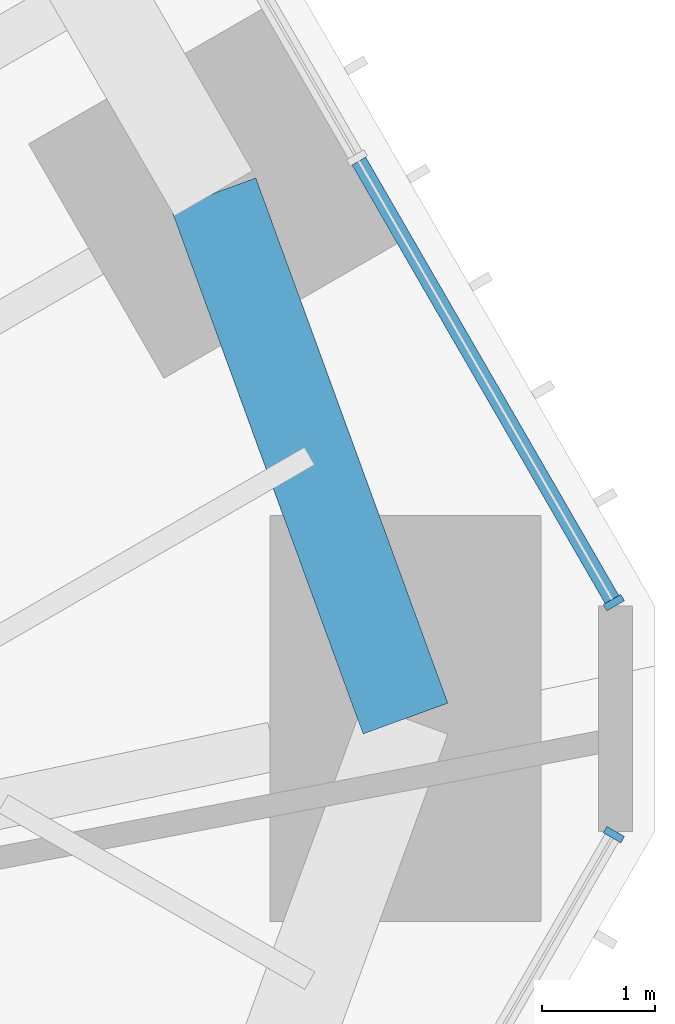
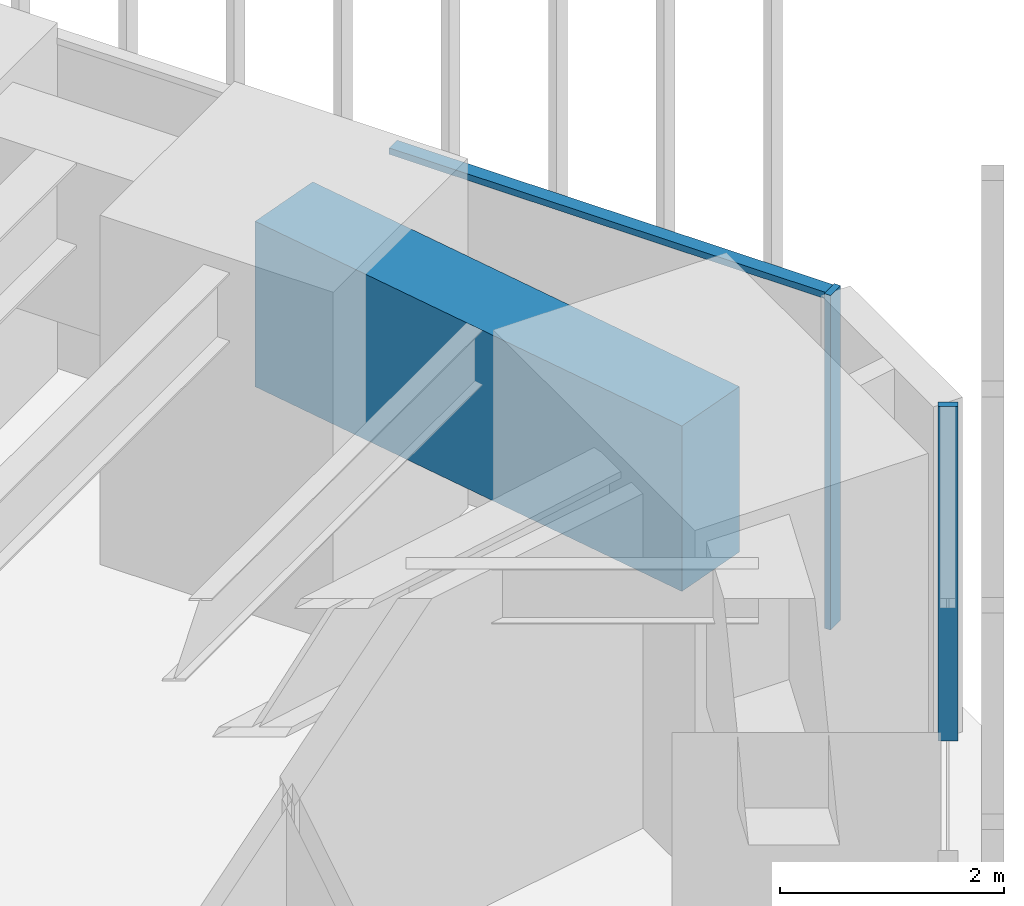
# One storey, part 197 of 256: 3 members, 1 beam, 2 elements without a shape of their own.
"""IFC4 building model written with IfcOpenShell, lengths in metres."""

from ifc_helpers import new_model, si_unit, direction, frame, origin, origin_2d, place, context, subcontext, project, spatial, rectangle, extrude, material, material_profile, profile_set, type_object, element, aggregate, save


model = new_model("IFC4")

# Units and contexts
model_context = context("Model", 3, precision=1e-05, world=origin(), true_north=direction((0.0, 1.0)))
body_context = subcontext(model_context, "Body", "Model", "MODEL_VIEW")
ifc_project = project(units=[si_unit("LENGTHUNIT", "METRE"), si_unit("AREAUNIT", "SQUARE_METRE"), si_unit("VOLUMEUNIT", "CUBIC_METRE"), si_unit("PLANEANGLEUNIT", "RADIAN"), si_unit("MASSUNIT", "GRAM", prefix="KILO")], contexts=[model_context])

# Site, building, storey
site_placement = place(None, origin())
site = spatial("IfcSite", under=ifc_project, at=site_placement, CompositionType="ELEMENT")
building_placement = place(site_placement, origin())
building = spatial("IfcBuilding", under=site, at=building_placement, Name="Sandreach Pilgrim Tower", CompositionType="ELEMENT")
storey_placement = place(building_placement, frame((0.0, 0.0, 23.0)))
storey = spatial("IfcBuildingStorey", under=building, at=storey_placement, Name="L04", CompositionType="ELEMENT", Elevation=23.0)

# Curtain wall, member
ifc_material_1 = material(Name="Aluminium framed curtain wall", Category="aluminium")
curtain_wall_type = type_object("IfcCurtainWallType", Name="Hostel tower curtain wall", PredefinedType="NOTDEFINED", material=ifc_material_1)
curtain_wall_1_placement = place(storey_placement, origin())
curtain_wall_1 = element("IfcCurtainWall", 1, at=curtain_wall_1_placement, inside=storey, type_object=curtain_wall_type, Name="CW-1 L04 NE", PredefinedType="NOTDEFINED")
ifc_material_2 = material(Name="Aluminium extrusion", Category="aluminium")
ifc_material_profile_1 = material_profile(ifc_material_2, rectangle(XDim=0.06494140625, YDim=0.179931640625, at=origin_2d()), Name="CW-1M 65X180")
ifc_profile_set_1 = profile_set([ifc_material_profile_1], Name="Aluminium extrusion")
member_type_1 = type_object("IfcMemberType", Name="CW-1 mullion", PredefinedType="MULLION", material=ifc_profile_set_1)
member_1_placement = place(storey_placement, frame((30.56005859375, 7.09033203125, 0.0), z_axis=(0.0, 0.0, 1.0), x_axis=(0.5, -0.866025403784, 0.0)))
member_1 = element("IfcMember", 2, at=member_1_placement, type_object=member_type_1, Name="CW-1 mullion 5", PredefinedType="MULLION", context=body_context, shape_type="SweptSolid", body=[
    extrude(rectangle(XDim=0.06494140625, YDim=0.179931640625, at=origin_2d()), origin(), (0.0, 0.0, 1.0), 3.639892578125),
])

curtain_wall_2_placement = place(storey_placement, origin())
curtain_wall_2 = element("IfcCurtainWall", 3, at=curtain_wall_2_placement, inside=storey, type_object=curtain_wall_type, Name="CW-1 L04 SE", PredefinedType="NOTDEFINED")
member_2_placement = place(storey_placement, frame((30.56005859375, 5.033935546875, 0.0), z_axis=(0.0, 0.0, 1.0), x_axis=(-0.5, -0.866025403784, 0.0)))
member_2 = element("IfcMember", 4, at=member_2_placement, type_object=member_type_1, Name="CW-1 mullion 1", PredefinedType="MULLION", context=body_context, shape_type="SweptSolid", body=[
    extrude(rectangle(XDim=0.06494140625, YDim=0.179931640625, at=origin_2d()), origin(), (0.0, 0.0, 1.0), 3.639892578125),
])
aggregate(curtain_wall_2, [member_2])

# Member
ifc_material_3 = material(Name="Aluminium extrusion", Category="aluminium")
ifc_material_profile_2 = material_profile(ifc_material_3, rectangle(XDim=0.139892578125, YDim=0.070068359375, at=origin_2d()), Name="CW-1T 140X70")
ifc_profile_set_2 = profile_set([ifc_material_profile_2], Name="Aluminium extrusion")
member_type_2 = type_object("IfcMemberType", Name="CW-1 transom", PredefinedType="USERDEFINED", material=ifc_profile_set_2)
member_3_placement = place(storey_placement, frame((28.299560546875, 11.005615234375, 3.60498046875), z_axis=(0.499976706761, -0.866038851724, 0.0), x_axis=(0.866038851724, 0.499976706761, 0.0)))
member_3 = element("IfcMember", 5, at=member_3_placement, type_object=member_type_2, Name="CW-1 head transom 4", ObjectType="TRANSOM", PredefinedType="USERDEFINED", context=body_context, shape_type="SweptSolid", body=[
    extrude(rectangle(XDim=0.139892578125, YDim=0.070068359375, at=origin_2d()), origin(), (0.0, 0.0, 1.0), 4.488525390625),
])

aggregate(curtain_wall_1, [member_1, member_3])

# Beam
ifc_material_4 = material(Name="Concrete 10000 psi", Category="concrete")
ifc_material_profile_3 = material_profile(ifc_material_4, rectangle(XDim=0.800048828125, YDim=1.800048828125, at=origin_2d()), Name="RC800X1800")
ifc_profile_set_3 = profile_set([ifc_material_profile_3], Name="Concrete 10000 psi")
beam_type = type_object("IfcBeamType", Name="Spandrel beam RC800X1800", PredefinedType="SPANDREL", material=ifc_profile_set_3)
beam_placement = place(storey_placement, frame((27.01025390625, 10.71875, 2.739990234375), z_axis=(0.343367552823, -0.939201109278, 0.0), x_axis=(0.939201109278, 0.343367552823, 0.0)))
element("IfcBeam", 6, at=beam_placement, inside=storey, type_object=beam_type, Name="BM L04 SP12", PredefinedType="SPANDREL", context=body_context, shape_type="SweptSolid", body=[
    extrude(rectangle(XDim=0.800048828125, YDim=1.800048828125, at=origin_2d()), origin(), (0.0, 0.0, 1.0), 4.9580078125),
])

save(model, "model.ifc")
